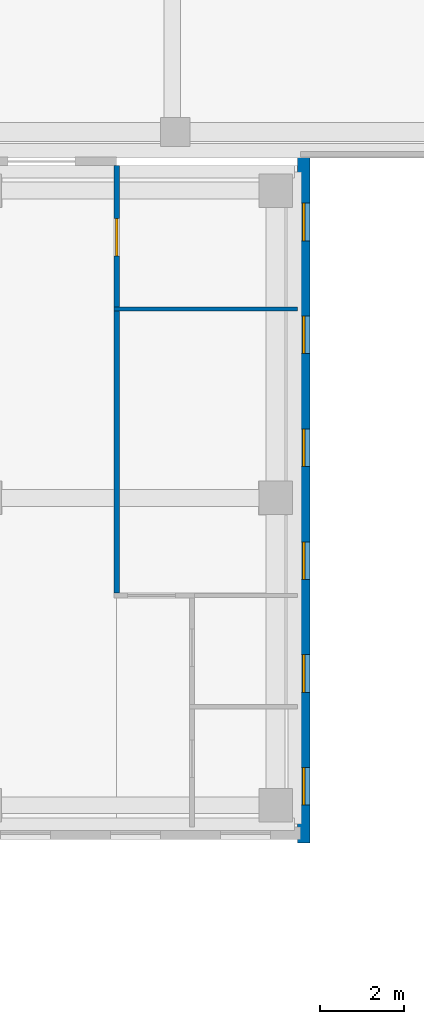
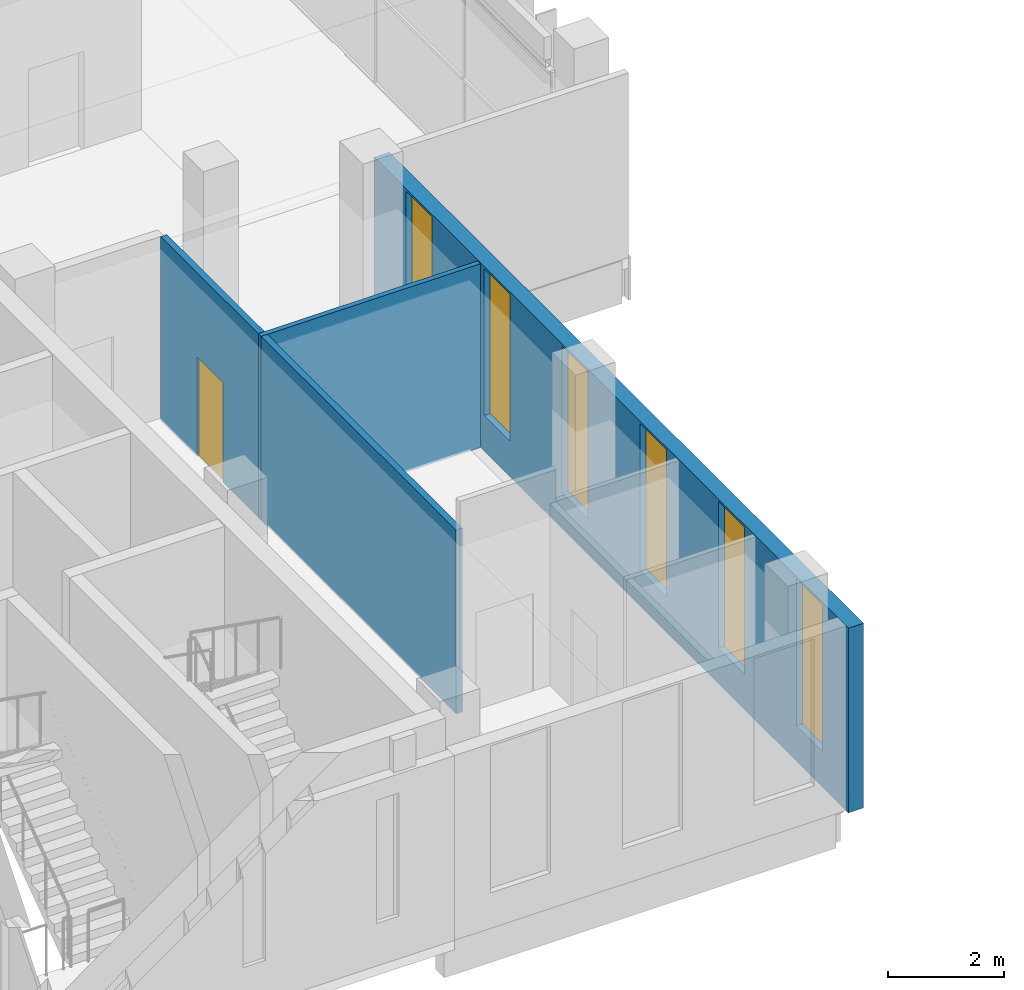
# One storey, part 45 of 73: 6 windows, 3 walls, 1 door, 7 openings.
"""IFC4 building model written with IfcOpenShell, lengths in metres."""

import ifcopenshell
import ifcopenshell.guid

model = None  # the IFC model being written
_history = None  # IfcOwnerHistory: only IFC2X3 demands one
_inside = {}  # id of a spatial element -> (the spatial element, [elements in it])
_under = {}  # id of a project, library or spatial element -> (it, [spatial elements below it])
_declared = {}  # id of a project -> (the project, [libraries it declares])
_typed = {}  # id of a type object -> (the type object, [elements of that type])
_made_of = {}  # id of a material, layer set ... -> (it, [elements and type objects made of it])


def new_model(schema):
    """Start an empty IFC model of exactly this schema.

    Asked for "IFC4X3", IfcOpenShell would pick the latest addendum, in which some entities
    have other attributes; the version numbers below select the first issue.
    IFC2X3 requires an IfcOwnerHistory on every rooted entity: one is made here for all.
    """
    global model, _history
    if schema == "IFC4X3":
        model = ifcopenshell.file(schema_version=(4, 3, 0, 0))
    else:
        model = ifcopenshell.file(schema=schema)
    _inside.clear()
    _under.clear()
    _declared.clear()
    _typed.clear()
    _made_of.clear()
    _history = None
    if model.schema == "IFC2X3":
        org = make("IfcOrganization", Name="unknown")
        user = make(
            "IfcPersonAndOrganization",
            ThePerson=make("IfcPerson", FamilyName="unknown"),
            TheOrganization=org,
        )
        app = make(
            "IfcApplication",
            ApplicationDeveloper=org,
            Version="unknown",
            ApplicationFullName="unknown",
            ApplicationIdentifier="unknown",
        )
        _history = make(
            "IfcOwnerHistory",
            OwningUser=user,
            OwningApplication=app,
            ChangeAction="ADDED",
            CreationDate=0,
        )
    return model


def make(cls, **values):
    """One entity of the class cls with the attributes given. An attribute that is None is left unset."""
    return model.create_entity(
        cls, **{name: value for name, value in values.items() if value is not None}
    )


def rooted(cls, **values):
    """An entity with a GlobalId (a new one), such as an element, a storey or a relation."""
    return make(cls, GlobalId=ifcopenshell.guid.new(), OwnerHistory=_history, **values)


def si_unit(unit_type, name, prefix=None):
    """IfcSIUnit, for example si_unit("LENGTHUNIT", "METRE", prefix="MILLI")."""
    return make("IfcSIUnit", UnitType=unit_type, Prefix=prefix, Name=name)


def assignment(units):
    """IfcUnitAssignment: the units of a project."""
    return None if units is None else make("IfcUnitAssignment", Units=units)


def point(xyz):
    """IfcCartesianPoint."""
    return None if xyz is None else make("IfcCartesianPoint", Coordinates=xyz)


def direction(xyz):
    """IfcDirection."""
    return None if xyz is None else make("IfcDirection", DirectionRatios=xyz)


def frame(location, z_axis=None, x_axis=None):
    """IfcAxis2Placement3D, a coordinate frame: its origin and axes. An axis left out is left unset."""
    return make(
        "IfcAxis2Placement3D",
        Location=point(location),
        Axis=direction(z_axis),
        RefDirection=direction(x_axis),
    )


def frame_2d(location, x_axis=None):
    """IfcAxis2Placement2D, a coordinate frame in the plane: its origin and x axis."""
    return make(
        "IfcAxis2Placement2D", Location=point(location), RefDirection=direction(x_axis)
    )


def origin():
    """The frame at (0, 0, 0) with its axes left unset."""
    return frame((0.0, 0.0, 0.0))


def place(relative_to, where):
    """IfcLocalPlacement: puts the frame where relative to a parent placement (None: the world)."""
    return make(
        "IfcLocalPlacement", PlacementRelTo=relative_to, RelativePlacement=where
    )


def context(
    kind, dimensions, precision=None, world=None, true_north=None, identifier=None
):
    """IfcGeometricRepresentationContext, for example the 3D "Model" context."""
    return make(
        "IfcGeometricRepresentationContext",
        ContextIdentifier=identifier,
        ContextType=kind,
        CoordinateSpaceDimension=dimensions,
        Precision=precision,
        WorldCoordinateSystem=world,
        TrueNorth=true_north,
    )


def subcontext(parent, identifier, kind, view, scale=None):
    """IfcGeometricRepresentationSubContext, for example "Body" below "Model"."""
    return make(
        "IfcGeometricRepresentationSubContext",
        ContextIdentifier=identifier,
        ContextType=kind,
        ParentContext=parent,
        TargetScale=scale,
        TargetView=view,
    )


def project(units=None, contexts=None):
    """IfcProject with its units and contexts."""
    return rooted(
        "IfcProject",
        Name="project",
        RepresentationContexts=contexts,
        UnitsInContext=assignment(units),
    )


def spatial(cls, under=None, at=None, **own):
    """A site, building, storey or space (cls), placed at a placement, below another one or the project."""
    s = rooted(cls, ObjectPlacement=at, **own)
    if under is not None:
        _under.setdefault(under.id(), (under, []))[1].append(s)
    return s


def profile(cls, at=None, kind="AREA", **sizes):
    """A parametric profile (cls). Its sizes go by their IFC names, for example OverallWidth=200.0."""
    return make(cls, ProfileType=kind, Position=at, **sizes)


def rectangle(**sizes):
    """IfcRectangleProfileDef."""
    return profile("IfcRectangleProfileDef", **sizes)


def extrude(swept, where, along, depth):
    """IfcExtrudedAreaSolid: the profile swept, set in the frame where, extruded along a direction by depth."""
    return make(
        "IfcExtrudedAreaSolid",
        SweptArea=swept,
        Position=where,
        ExtrudedDirection=direction(along),
        Depth=depth,
    )


def shape(context_of_items, identifier, shape_type, items):
    """IfcShapeRepresentation: the items that make up one representation, for example the "Body"."""
    return make(
        "IfcShapeRepresentation",
        ContextOfItems=context_of_items,
        RepresentationIdentifier=identifier,
        RepresentationType=shape_type,
        Items=items,
    )


def material(Name=None, Category=None):
    """IfcMaterial."""
    return make("IfcMaterial", Name=Name, Category=Category)


def layer(
    of_material, thickness, ventilated=None, Name=None, Category=None, Priority=None
):
    """IfcMaterialLayer: one layer of a wall or slab, of a material (None: an air gap)."""
    return make(
        "IfcMaterialLayer",
        Material=of_material,
        LayerThickness=thickness,
        IsVentilated=ventilated,
        Name=Name,
        Category=Category,
        Priority=Priority,
    )


def layer_set(layers, Name=None):
    """IfcMaterialLayerSet."""
    return make("IfcMaterialLayerSet", MaterialLayers=layers, LayerSetName=Name)


def made_of(thing, what):
    """Note that an element or type object is made of a material, layer set ...; save() writes the relation."""
    if what is not None:
        _made_of.setdefault(what.id(), (what, []))[1].append(thing)
    return thing


def type_object(cls, material=None, **own):
    """A type object (cls), such as IfcWallType, which elements share."""
    return made_of(rooted(cls, **own), material)


def element(
    cls,
    number,
    at=None,
    inside=None,
    cuts=None,
    type_object=None,
    material=None,
    context=None,
    identifier="Body",
    shape_type=None,
    held_by="IfcProductDefinitionShape",
    body=None,
    shapes=None,
    **own,
):
    """One element of the class cls, such as IfcWall. Its Tag is "e" and its number.

    at: its placement. inside: the storey or other place that contains it. cuts: it is an
    opening in that element (IfcRelVoidsElement). A single representation is given by context,
    identifier, shape_type and body (its items); several are given by shapes. held_by: the class
    of the entity that holds the representations. save() writes the other relations.
    """
    e = rooted(cls, Tag="e%d" % number, ObjectPlacement=at, **own)
    if body is not None:
        shapes = [shape(context, identifier, shape_type, body)]
    if shapes is not None:
        e.Representation = make(held_by, Representations=shapes)
    if inside is not None:
        _inside.setdefault(inside.id(), (inside, []))[1].append(e)
    if cuts is not None:
        rooted(
            "IfcRelVoidsElement", RelatingBuildingElement=cuts, RelatedOpeningElement=e
        )
    if type_object is not None:
        _typed.setdefault(type_object.id(), (type_object, []))[1].append(e)
    return made_of(e, material)


def fill(opening, filler):
    """IfcRelFillsElement: the door or window that sits in an opening."""
    return rooted(
        "IfcRelFillsElement",
        RelatingOpeningElement=opening,
        RelatedBuildingElement=filler,
    )


def aggregate(whole, parts):
    """IfcRelAggregates: a whole, such as a stair, and the parts it consists of."""
    return rooted("IfcRelAggregates", RelatingObject=whole, RelatedObjects=parts)


def save(model, path):
    """Write the relations noted so far, then the file.

    IfcRelAggregates (storeys below a building ...), IfcRelContainedInSpatialStructure (elements
    in a storey), IfcRelDefinesByType, IfcRelAssociatesMaterial and IfcRelDeclares: one each for
    every whole, place, type object, material and project.
    """
    for whole, parts in _under.values():
        aggregate(whole, parts)
    for where, things in _inside.values():
        rooted(
            "IfcRelContainedInSpatialStructure",
            RelatedElements=things,
            RelatingStructure=where,
        )
    for kind, things in _typed.values():
        rooted("IfcRelDefinesByType", RelatedObjects=things, RelatingType=kind)
    for what, things in _made_of.values():
        rooted("IfcRelAssociatesMaterial", RelatedObjects=things, RelatingMaterial=what)
    for by, libraries in _declared.values():
        rooted("IfcRelDeclares", RelatingContext=by, RelatedDefinitions=libraries)
    model.write(path)


model = new_model("IFC4")

# Units and contexts
model_context = context("Model", 3, precision=1e-05, world=origin(), true_north=direction((0.0, 1.0)))
body_context = subcontext(model_context, "Body", "Model", "MODEL_VIEW")
ifc_project = project(units=[si_unit("LENGTHUNIT", "METRE"), si_unit("AREAUNIT", "SQUARE_METRE"), si_unit("VOLUMEUNIT", "CUBIC_METRE"), si_unit("PLANEANGLEUNIT", "RADIAN"), si_unit("MASSUNIT", "GRAM", prefix="KILO")], contexts=[model_context])

# Site, building, storey
site_placement = place(None, origin())
site = spatial("IfcSite", under=ifc_project, at=site_placement, CompositionType="ELEMENT")
building_placement = place(site_placement, origin())
building = spatial("IfcBuilding", under=site, at=building_placement, Name="Lantern Court Media Centre", CompositionType="ELEMENT")
storey_placement = place(building_placement, frame((0.0, 0.0, 24.0)))
storey = spatial("IfcBuildingStorey", under=building, at=storey_placement, Name="L05", CompositionType="ELEMENT", Elevation=24.0)

# Wall, opening, door
ifc_material_1 = material(Name="Gypsum board partition")
ifc_layer_1 = layer(ifc_material_1, 0.125)
ifc_layer_set_1 = layer_set([ifc_layer_1], Name="Gypsum board partition")
wall_type_1 = type_object("IfcWallType", Name="Corridor partition 125", PredefinedType="PARTITIONING", material=ifc_layer_set_1)
wall_1_placement = place(storey_placement, frame((91.60009765625, 53.6767578125, 0.0), z_axis=(0.0, 0.0, 1.0), x_axis=(0.0, 1.0, 0.0)))
wall_1 = element("IfcWall", 1, at=wall_1_placement, inside=storey, type_object=wall_type_1, Name="L05 partition 033", PredefinedType="PARTITIONING", context=body_context, shape_type="SweptSolid", body=[
    extrude(rectangle(XDim=10.22314453125, YDim=0.125, at=frame_2d((5.111572265625, 0.0))), origin(), (0.0, 0.0, 1.0), 3.8798828125),
])
opening_1_placement = place(wall_1_placement, frame((8.058837890625, 0.0, 0.0)))
opening_1 = element("IfcOpeningElement", 2, at=opening_1_placement, cuts=wall_1, Name="Opening L05-020", PredefinedType="OPENING", context=body_context, shape_type="SweptSolid", body=[
    extrude(rectangle(XDim=0.89990234375, YDim=2.10009765625, at=frame_2d((0.449951171875, 1.050048828125))), frame((0.0, 0.072509765625, 0.0), z_axis=(0.0, -1.0, 0.0), x_axis=(1.0, 0.0, 0.0)), (0.0, 0.0, 1.0), 0.14501953125),
])
ifc_material_2 = material(Name="Solid-core timber door leaf", Category="wood")
door_type = type_object("IfcDoorType", Name="Single door 900x2100", OperationType="NOTDEFINED", PredefinedType="DOOR", material=ifc_material_2)
door_placement = place(opening_1_placement, frame((0.89990234375, 0.0, 0.0), z_axis=(0.0, 0.0, 1.0), x_axis=(-1.0, 0.0, 0.0)))
door = element("IfcDoor", 3, at=door_placement, inside=storey, type_object=door_type, Name="L05 Library Administration Office door", OperationType="SINGLE_SWING_LEFT", OverallHeight=2.10009765625, OverallWidth=0.89990234375, PredefinedType="DOOR", context=body_context, shape_type="SweptSolid", body=[
    extrude(rectangle(XDim=0.89990234375, YDim=2.10009765625, at=frame_2d((0.449951171875, 1.050048828125))), frame((0.0, 0.02490234375, 0.0), z_axis=(0.0, -1.0, 0.0), x_axis=(1.0, 0.0, 0.0)), (0.0, 0.0, 1.0), 0.050048828125),
])
fill(opening_1, door)

# Wall, openings, windows
ifc_material_3 = material(Name="Honed limestone cladding on blockwork", Category="masonry")
ifc_layer_2 = layer(ifc_material_3, 0.300048828125)
ifc_layer_set_2 = layer_set([ifc_layer_2], Name="Honed limestone cladding on blockwork")
wall_type_2 = type_object("IfcWallType", Name="Limestone block wall 300", PredefinedType="SOLIDWALL", material=ifc_layer_set_2)
wall_2_placement = place(storey_placement, frame((96.070068359375, 47.699951171875, 0.0), z_axis=(0.0, 0.0, 1.0), x_axis=(0.0, 1.0, 0.0)))
wall_2 = element("IfcWall", 4, at=wall_2_placement, inside=storey, type_object=wall_type_2, Name="Limestone wall SE E L05", PredefinedType="SOLIDWALL", context=body_context, shape_type="SweptSolid", body=[
    extrude(rectangle(XDim=16.400146484375, YDim=0.300048828125, at=frame_2d((8.2001953125, 0.0))), origin(), (0.0, 0.0, 1.0), 3.89990234375),
])
opening_2_placement = place(wall_2_placement, frame((0.89990234375, 0.0, 0.75)))
opening_2 = element("IfcOpeningElement", 5, at=opening_2_placement, cuts=wall_2, Name="Opening WN-N", PredefinedType="OPENING", context=body_context, shape_type="SweptSolid", body=[
    extrude(rectangle(XDim=0.89990234375, YDim=3.10009765625, at=frame_2d((0.449951171875, 1.550048828125))), frame((0.0, 0.159912109375, 0.0), z_axis=(0.0, -1.0, 0.0), x_axis=(1.0, 0.0, 0.0)), (0.0, 0.0, 1.0), 0.320068359375),
])
opening_3_placement = place(wall_2_placement, frame((3.60009765625, 0.0, 0.75)))
opening_3 = element("IfcOpeningElement", 6, at=opening_3_placement, cuts=wall_2, Name="Opening WN-N", PredefinedType="OPENING", context=body_context, shape_type="SweptSolid", body=[
    extrude(rectangle(XDim=0.89990234375, YDim=3.10009765625, at=frame_2d((0.449951171875, 1.550048828125))), frame((0.0, 0.159912109375, 0.0), z_axis=(0.0, -1.0, 0.0), x_axis=(1.0, 0.0, 0.0)), (0.0, 0.0, 1.0), 0.320068359375),
])
opening_4_placement = place(wall_2_placement, frame((6.300048828125, 0.0, 0.75)))
opening_4 = element("IfcOpeningElement", 7, at=opening_4_placement, cuts=wall_2, Name="Opening WN-N", PredefinedType="OPENING", context=body_context, shape_type="SweptSolid", body=[
    extrude(rectangle(XDim=0.89990234375, YDim=3.10009765625, at=frame_2d((0.449951171875, 1.550048828125))), frame((0.0, 0.159912109375, 0.0), z_axis=(0.0, -1.0, 0.0), x_axis=(1.0, 0.0, 0.0)), (0.0, 0.0, 1.0), 0.320068359375),
])
opening_5_placement = place(wall_2_placement, frame((9.0, 0.0, 0.75)))
opening_5 = element("IfcOpeningElement", 8, at=opening_5_placement, cuts=wall_2, Name="Opening WN-N", PredefinedType="OPENING", context=body_context, shape_type="SweptSolid", body=[
    extrude(rectangle(XDim=0.89990234375, YDim=3.10009765625, at=frame_2d((0.449951171875, 1.550048828125))), frame((0.0, 0.159912109375, 0.0), z_axis=(0.0, -1.0, 0.0), x_axis=(1.0, 0.0, 0.0)), (0.0, 0.0, 1.0), 0.320068359375),
])
opening_6_placement = place(wall_2_placement, frame((11.699951171875, 0.0, 0.75)))
opening_6 = element("IfcOpeningElement", 9, at=opening_6_placement, cuts=wall_2, Name="Opening WN-N", PredefinedType="OPENING", context=body_context, shape_type="SweptSolid", body=[
    extrude(rectangle(XDim=0.89990234375, YDim=3.10009765625, at=frame_2d((0.449951171875, 1.550048828125))), frame((0.0, 0.159912109375, 0.0), z_axis=(0.0, -1.0, 0.0), x_axis=(1.0, 0.0, 0.0)), (0.0, 0.0, 1.0), 0.320068359375),
])
opening_7_placement = place(wall_2_placement, frame((14.39990234375, 0.0, 0.75)))
opening_7 = element("IfcOpeningElement", 10, at=opening_7_placement, cuts=wall_2, Name="Opening WN-N", PredefinedType="OPENING", context=body_context, shape_type="SweptSolid", body=[
    extrude(rectangle(XDim=0.89990234375, YDim=3.10009765625, at=frame_2d((0.449951171875, 1.550048828125))), frame((0.0, 0.159912109375, 0.0), z_axis=(0.0, -1.0, 0.0), x_axis=(1.0, 0.0, 0.0)), (0.0, 0.0, 1.0), 0.320068359375),
])
ifc_material_4 = material(Name="Anodised aluminium and glass", Category="aluminium")
window_type = type_object("IfcWindowType", Name="Pier window 900x3100", PartitioningType="SINGLE_PANEL", PredefinedType="WINDOW", material=ifc_material_4)
window_1_placement = place(opening_2_placement, origin())
window_1 = element("IfcWindow", 11, at=window_1_placement, inside=storey, type_object=window_type, Name="Window SE E L05", OverallHeight=3.10009765625, OverallWidth=0.89990234375, PartitioningType="SINGLE_PANEL", PredefinedType="WINDOW", context=body_context, shape_type="SweptSolid", body=[
    extrude(rectangle(XDim=0.89990234375, YDim=3.10009765625, at=frame_2d((0.449951171875, 1.550048828125))), frame((0.0, 0.030029296875, 0.0), z_axis=(0.0, -1.0, 0.0), x_axis=(1.0, 0.0, 0.0)), (0.0, 0.0, 1.0), 0.06005859375),
])
fill(opening_2, window_1)
window_2_placement = place(opening_3_placement, origin())
window_2 = element("IfcWindow", 12, at=window_2_placement, inside=storey, type_object=window_type, Name="Window SE E L05", OverallHeight=3.10009765625, OverallWidth=0.89990234375, PartitioningType="SINGLE_PANEL", PredefinedType="WINDOW", context=body_context, shape_type="SweptSolid", body=[
    extrude(rectangle(XDim=0.89990234375, YDim=3.10009765625, at=frame_2d((0.449951171875, 1.550048828125))), frame((0.0, 0.030029296875, 0.0), z_axis=(0.0, -1.0, 0.0), x_axis=(1.0, 0.0, 0.0)), (0.0, 0.0, 1.0), 0.06005859375),
])
fill(opening_3, window_2)
window_3_placement = place(opening_4_placement, origin())
window_3 = element("IfcWindow", 13, at=window_3_placement, inside=storey, type_object=window_type, Name="Window SE E L05", OverallHeight=3.10009765625, OverallWidth=0.89990234375, PartitioningType="SINGLE_PANEL", PredefinedType="WINDOW", context=body_context, shape_type="SweptSolid", body=[
    extrude(rectangle(XDim=0.89990234375, YDim=3.10009765625, at=frame_2d((0.449951171875, 1.550048828125))), frame((0.0, 0.030029296875, 0.0), z_axis=(0.0, -1.0, 0.0), x_axis=(1.0, 0.0, 0.0)), (0.0, 0.0, 1.0), 0.06005859375),
])
fill(opening_4, window_3)
window_4_placement = place(opening_5_placement, origin())
window_4 = element("IfcWindow", 14, at=window_4_placement, inside=storey, type_object=window_type, Name="Window SE E L05", OverallHeight=3.10009765625, OverallWidth=0.89990234375, PartitioningType="SINGLE_PANEL", PredefinedType="WINDOW", context=body_context, shape_type="SweptSolid", body=[
    extrude(rectangle(XDim=0.89990234375, YDim=3.10009765625, at=frame_2d((0.449951171875, 1.550048828125))), frame((0.0, 0.030029296875, 0.0), z_axis=(0.0, -1.0, 0.0), x_axis=(1.0, 0.0, 0.0)), (0.0, 0.0, 1.0), 0.06005859375),
])
fill(opening_5, window_4)
window_5_placement = place(opening_6_placement, origin())
window_5 = element("IfcWindow", 15, at=window_5_placement, inside=storey, type_object=window_type, Name="Window SE E L05", OverallHeight=3.10009765625, OverallWidth=0.89990234375, PartitioningType="SINGLE_PANEL", PredefinedType="WINDOW", context=body_context, shape_type="SweptSolid", body=[
    extrude(rectangle(XDim=0.89990234375, YDim=3.10009765625, at=frame_2d((0.449951171875, 1.550048828125))), frame((0.0, 0.030029296875, 0.0), z_axis=(0.0, -1.0, 0.0), x_axis=(1.0, 0.0, 0.0)), (0.0, 0.0, 1.0), 0.06005859375),
])
fill(opening_6, window_5)
window_6_placement = place(opening_7_placement, origin())
window_6 = element("IfcWindow", 16, at=window_6_placement, inside=storey, type_object=window_type, Name="Window SE E L05", OverallHeight=3.10009765625, OverallWidth=0.89990234375, PartitioningType="SINGLE_PANEL", PredefinedType="WINDOW", context=body_context, shape_type="SweptSolid", body=[
    extrude(rectangle(XDim=0.89990234375, YDim=3.10009765625, at=frame_2d((0.449951171875, 1.550048828125))), frame((0.0, 0.030029296875, 0.0), z_axis=(0.0, -1.0, 0.0), x_axis=(1.0, 0.0, 0.0)), (0.0, 0.0, 1.0), 0.06005859375),
])
fill(opening_7, window_6)

# Wall
ifc_layer_3 = layer(ifc_material_1, 0.10009765625)
ifc_layer_set_3 = layer_set([ifc_layer_3], Name="Gypsum board partition")
wall_type_3 = type_object("IfcWallType", Name="Partition 100", PredefinedType="PARTITIONING", material=ifc_layer_set_3)
wall_3_placement = place(storey_placement, frame((91.53759765625, 60.470947265625, 0.0), z_axis=(0.0, 0.0, 1.0), x_axis=(1.0, 0.0, 0.0)))
element("IfcWall", 17, at=wall_3_placement, inside=storey, type_object=wall_type_3, Name="L05 partition 037", PredefinedType="PARTITIONING", context=body_context, shape_type="SweptSolid", body=[
    extrude(rectangle(XDim=4.38232421875, YDim=0.10009765625, at=frame_2d((2.191162109375, 0.0))), origin(), (0.0, 0.0, 1.0), 3.8798828125),
])

save(model, "model.ifc")
